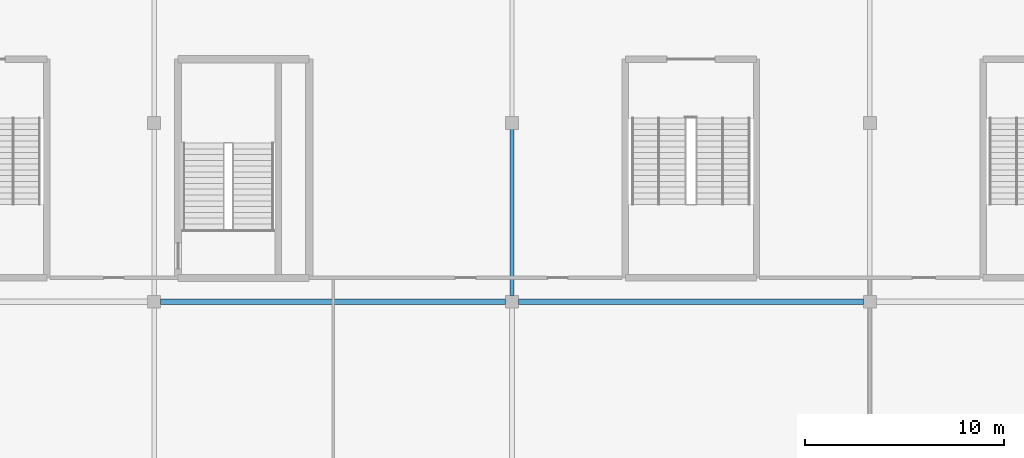
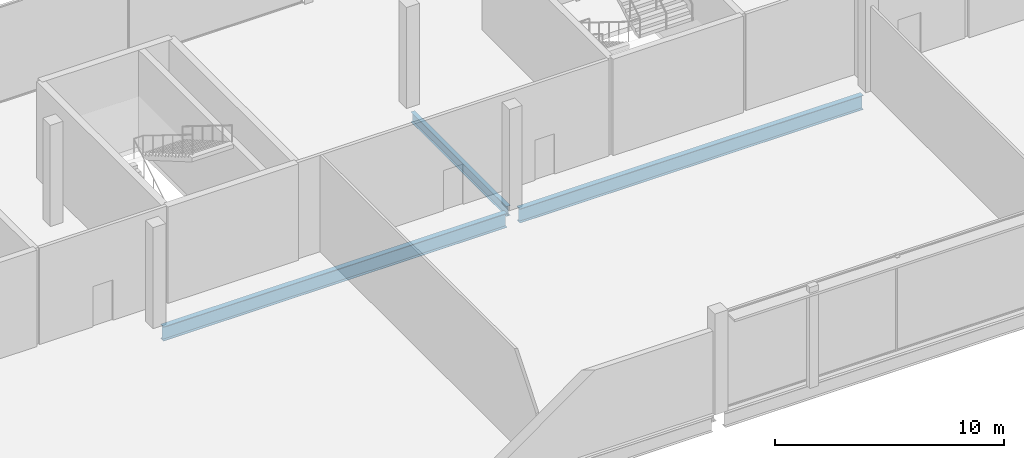
# One storey, part 20 of 111: 3 beams.
"""IFC4 building model written with IfcOpenShell, lengths in metres."""

from ifc_helpers import new_model, si_unit, direction, frame, origin, origin_2d, place, context, subcontext, project, spatial, i_section, extrude, material, material_profile, profile_set, type_object, element, save


model = new_model("IFC4")

# Units and contexts
model_context = context("Model", 3, precision=1e-05, world=origin(), true_north=direction((0.0, 1.0)))
body_context = subcontext(model_context, "Body", "Model", "MODEL_VIEW")
ifc_project = project(units=[si_unit("LENGTHUNIT", "METRE"), si_unit("AREAUNIT", "SQUARE_METRE"), si_unit("VOLUMEUNIT", "CUBIC_METRE"), si_unit("PLANEANGLEUNIT", "RADIAN"), si_unit("MASSUNIT", "GRAM", prefix="KILO")], contexts=[model_context])

# Site, building, storey
site_placement = place(None, origin())
site = spatial("IfcSite", under=ifc_project, at=site_placement, CompositionType="ELEMENT")
building_placement = place(site_placement, origin())
building = spatial("IfcBuilding", under=site, at=building_placement, Name="Kisiwana Market Hall", CompositionType="ELEMENT")
storey_placement = place(building_placement, frame((0.0, 0.0, 11.39990234375)))
storey = spatial("IfcBuildingStorey", under=building, at=storey_placement, Name="L02", CompositionType="ELEMENT", Elevation=11.39990234375)

# Beams
ifc_material_1 = material(Name="Steel S355", Category="steel")
ifc_material_profile_1 = material_profile(ifc_material_1, i_section(OverallWidth=0.209228515625, OverallDepth=0.533203125, WebThickness=0.010009765625, FlangeThickness=0.015625, at=origin_2d()), Name="UB 533x210x92")
ifc_profile_set_1 = profile_set([ifc_material_profile_1], Name="Steel S355")
beam_type_1 = type_object("IfcBeamType", Name="BM-GIRD-UB533", PredefinedType="BEAM", material=ifc_profile_set_1)
beam_placement = place(storey_placement, frame((81.0, 18.321044921875, -0.516357421875), z_axis=(0.0, 1.0, 0.0), x_axis=(-1.0, 0.0, 0.0)))
element("IfcBeam", 1, at=beam_placement, inside=storey, type_object=beam_type_1, Name="Primary girder B-0638", PredefinedType="BEAM", context=body_context, shape_type="SweptSolid", body=[
    extrude(i_section(OverallWidth=0.209228515625, OverallDepth=0.533203125, WebThickness=0.010009765625, FlangeThickness=0.015625, at=origin_2d()), origin(), (0.0, 0.0, 1.0), 8.35791015625),
])
ifc_material_2 = material(Name="Steel S355", Category="steel")
ifc_material_profile_2 = material_profile(ifc_material_2, i_section(OverallWidth=0.2666015625, OverallDepth=0.76220703125, WebThickness=0.014404296875, FlangeThickness=0.021484375, at=origin_2d()), Name="UB 762x267x173")
ifc_profile_set_2 = profile_set([ifc_material_profile_2], Name="Steel S355")
beam_type_2 = type_object("IfcBeamType", Name="BM-GIRD-UB762", PredefinedType="BEAM", material=ifc_profile_set_2)
for number, where, z_axis, x_axis, name in (
    (2, (63.321044921875, 18.0, -0.631103515625), (1.0, 0.0, 0.0), (0.0, 1.0, 0.0), "Floor beam B-0746"),
    (3, (81.321044921875, 18.0, -0.631103515625), (1.0, 0.0, 0.0), (0.0, 1.0, 0.0), "Floor beam B-0747"),
):
    element("IfcBeam", number, at=place(storey_placement, frame(where, z_axis=z_axis, x_axis=x_axis)), inside=storey, type_object=beam_type_2, Name=name, PredefinedType="BEAM", context=body_context, shape_type="SweptSolid", body=[
        extrude(i_section(OverallWidth=0.2666015625, OverallDepth=0.76220703125, WebThickness=0.014404296875, FlangeThickness=0.021484375, at=origin_2d()), origin(), (0.0, 0.0, 1.0), 17.35791015625),
    ])

save(model, "model.ifc")
